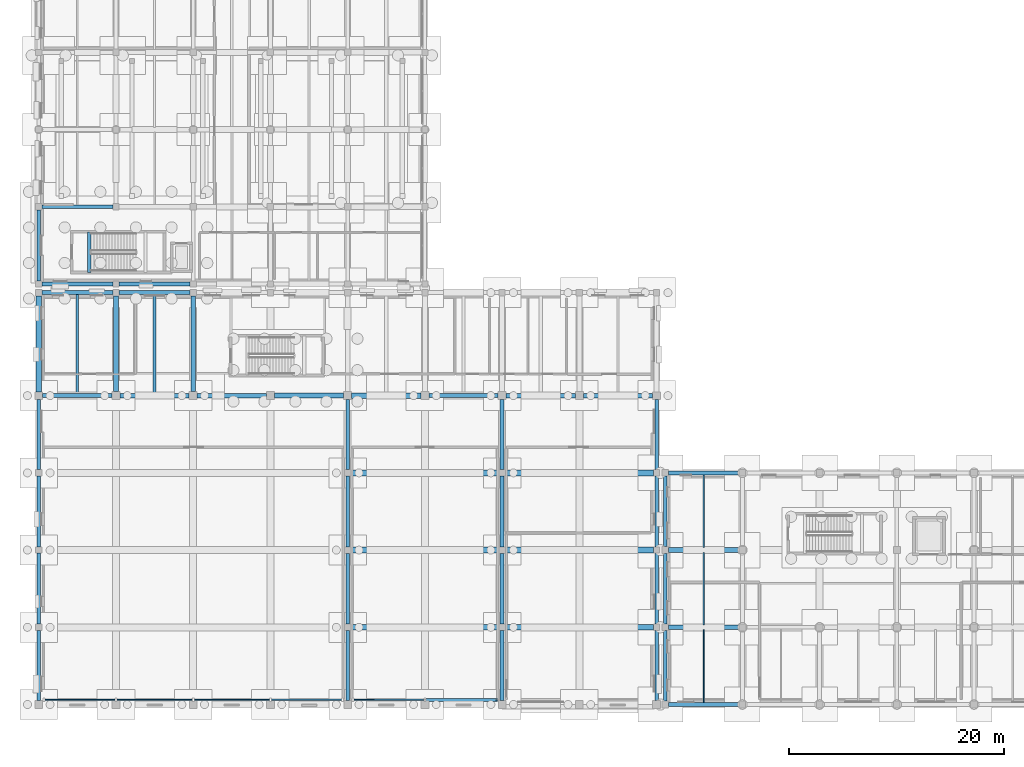
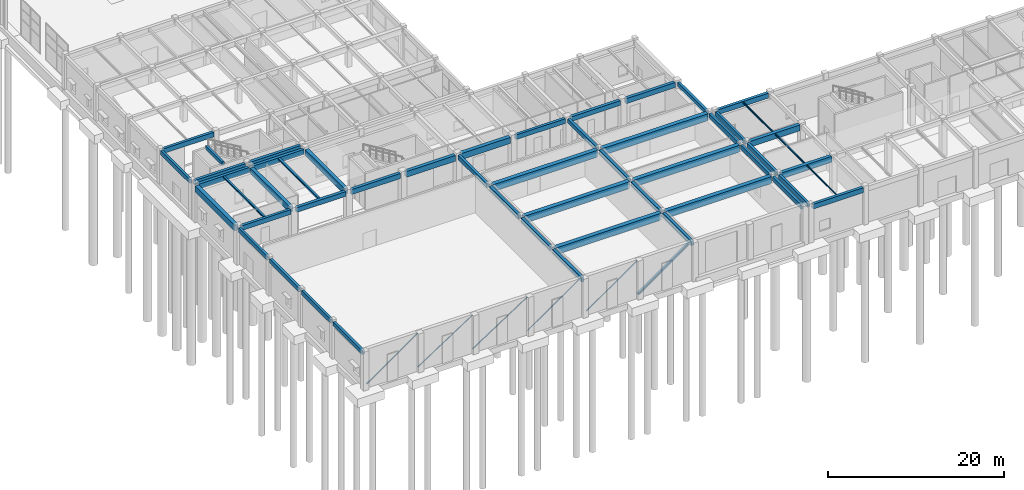
# One storey, part 15 of 91: 52 beams, 6 members.
"""IFC4 building model written with IfcOpenShell, lengths in metres."""

from ifc_helpers import new_model, si_unit, direction, frame, origin, origin_2d, place, context, subcontext, project, spatial, rectangle, hollow_rectangle, hollow_circle, i_section, extrude, material, material_profile, profile_set, type_object, element, save


model = new_model("IFC4")

# Units and contexts
model_context = context("Model", 3, precision=1e-05, world=origin(), true_north=direction((0.0, 1.0)))
body_context = subcontext(model_context, "Body", "Model", "MODEL_VIEW")
ifc_project = project(units=[si_unit("LENGTHUNIT", "METRE"), si_unit("AREAUNIT", "SQUARE_METRE"), si_unit("VOLUMEUNIT", "CUBIC_METRE"), si_unit("PLANEANGLEUNIT", "RADIAN"), si_unit("MASSUNIT", "GRAM", prefix="KILO")], contexts=[model_context])

# Site, building, storey
site_placement = place(None, origin())
site = spatial("IfcSite", under=ifc_project, at=site_placement, CompositionType="ELEMENT")
building_placement = place(site_placement, origin())
building = spatial("IfcBuilding", under=site, at=building_placement, Name="Bramveld Media Centre", CompositionType="ELEMENT")
storey_placement = place(building_placement, origin())
storey = spatial("IfcBuildingStorey", under=building, at=storey_placement, Name="L00", CompositionType="ELEMENT", Elevation=0.0)

# Beams
ifc_material_1 = material(Name="Concrete C40/50", Category="concrete")
ifc_material_profile_1 = material_profile(ifc_material_1, rectangle(XDim=0.300048828125, YDim=0.5, at=origin_2d()), Name="RC 300x500")
ifc_profile_set_1 = profile_set([ifc_material_profile_1], Name="Concrete C40/50")
beam_type_1 = type_object("IfcBeamType", Name="BM-INT-RC-300x500", PredefinedType="BEAM", material=ifc_profile_set_1)
beam_1_placement = place(storey_placement, frame((4.699951171875, 40.300048828125, 5.14990234375), z_axis=(0.0, 1.0, 0.0), x_axis=(-1.0, 0.0, 0.0)))
element("IfcBeam", 1, at=beam_1_placement, inside=storey, type_object=beam_type_1, Name="ST-04 L01 stairwell landing trimmer beam", PredefinedType="BEAM", context=body_context, shape_type="SweptSolid", body=[
    extrude(rectangle(XDim=0.300048828125, YDim=0.5, at=origin_2d()), origin(), (0.0, 0.0, 1.0), 3.75),
])
ifc_material_2 = material(Name="Concrete C40/50", Category="concrete")
ifc_material_profile_2 = material_profile(ifc_material_2, rectangle(XDim=0.35009765625, YDim=0.60009765625, at=origin_2d()), Name="RC 350x600")
ifc_profile_set_2 = profile_set([ifc_material_profile_2], Name="Concrete C40/50")
beam_type_2 = type_object("IfcBeamType", Name="BM-INT-RC-350x600", PredefinedType="BEAM", material=ifc_profile_set_2)
beam_2_placement = place(storey_placement, frame((28.800048828125, 0.360107421875, 4.85009765625), z_axis=(0.0, 1.0, 0.0), x_axis=(-1.0, 0.0, 0.0)))
element("IfcBeam", 2, at=beam_2_placement, inside=storey, type_object=beam_type_2, Name="V2 L00 girder Y-116", PredefinedType="BEAM", context=body_context, shape_type="SweptSolid", body=[
    extrude(rectangle(XDim=0.35009765625, YDim=0.60009765625, at=origin_2d()), origin(), (0.0, 0.0, 1.0), 6.539794921875),
])
for number, where, z_axis, x_axis, name in (
    (3, (28.800048828125, 7.5, 4.85009765625), (0.0, 1.0, 0.0), (-1.0, 0.0, 0.0), "V2 L00 girder Y-117"),
    (4, (28.800048828125, 14.699951171875, 4.85009765625), (0.0, 1.0, 0.0), (-1.0, 0.0, 0.0), "V2 L00 girder Y-118"),
):
    element("IfcBeam", number, at=place(storey_placement, frame(where, z_axis=z_axis, x_axis=x_axis)), inside=storey, type_object=beam_type_2, Name=name, PredefinedType="BEAM", context=body_context, shape_type="SweptSolid", body=[
        extrude(rectangle(XDim=0.35009765625, YDim=0.60009765625, at=origin_2d()), origin(), (0.0, 0.0, 1.0), 6.60009765625),
    ])
beam_3_placement = place(storey_placement, frame((28.800048828125, 21.89990234375, 4.85009765625), z_axis=(0.0, 1.0, 0.0), x_axis=(-1.0, 0.0, 0.0)))
element("IfcBeam", 5, at=beam_3_placement, inside=storey, type_object=beam_type_2, Name="V2 L00 girder Y-119", PredefinedType="BEAM", context=body_context, shape_type="SweptSolid", body=[
    extrude(rectangle(XDim=0.35009765625, YDim=0.60009765625, at=origin_2d()), origin(), (0.0, 0.0, 1.0), 6.525146484375),
])
beam_4_placement = place(storey_placement, frame((43.199951171875, 0.360107421875, 4.85009765625), z_axis=(0.0, 1.0, 0.0), x_axis=(-1.0, 0.0, 0.0)))
element("IfcBeam", 6, at=beam_4_placement, inside=storey, type_object=beam_type_2, Name="V2 L00 girder Y-122", PredefinedType="BEAM", context=body_context, shape_type="SweptSolid", body=[
    extrude(rectangle(XDim=0.35009765625, YDim=0.60009765625, at=origin_2d()), origin(), (0.0, 0.0, 1.0), 6.539794921875),
])
for number, where, z_axis, x_axis, name in (
    (7, (43.199951171875, 7.5, 4.85009765625), (0.0, 1.0, 0.0), (-1.0, 0.0, 0.0), "V2 L00 girder Y-123"),
    (8, (43.199951171875, 14.699951171875, 4.85009765625), (0.0, 1.0, 0.0), (-1.0, 0.0, 0.0), "V2 L00 girder Y-124"),
):
    element("IfcBeam", number, at=place(storey_placement, frame(where, z_axis=z_axis, x_axis=x_axis)), inside=storey, type_object=beam_type_2, Name=name, PredefinedType="BEAM", context=body_context, shape_type="SweptSolid", body=[
        extrude(rectangle(XDim=0.35009765625, YDim=0.60009765625, at=origin_2d()), origin(), (0.0, 0.0, 1.0), 6.60009765625),
    ])
beam_5_placement = place(storey_placement, frame((43.199951171875, 21.89990234375, 4.85009765625), z_axis=(0.0, 1.0, 0.0), x_axis=(-1.0, 0.0, 0.0)))
element("IfcBeam", 9, at=beam_5_placement, inside=storey, type_object=beam_type_2, Name="V2 L00 girder Y-125", PredefinedType="BEAM", context=body_context, shape_type="SweptSolid", body=[
    extrude(rectangle(XDim=0.35009765625, YDim=0.60009765625, at=origin_2d()), origin(), (0.0, 0.0, 1.0), 6.525146484375),
])
ifc_material_3 = material(Name="Concrete C40/50", Category="concrete")
ifc_material_profile_3 = material_profile(ifc_material_3, rectangle(XDim=0.35009765625, YDim=0.64990234375, at=origin_2d()), Name="RC 350x650")
ifc_profile_set_3 = profile_set([ifc_material_profile_3], Name="Concrete C40/50")
beam_type_3 = type_object("IfcBeamType", Name="BM-INT-RC-350x650", PredefinedType="BEAM", material=ifc_profile_set_3)
beam_6_placement = place(storey_placement, frame((0.360107421875, 28.800048828125, 4.77490234375), z_axis=(1.0, 0.0, 0.0), x_axis=(0.0, 1.0, 0.0)))
element("IfcBeam", 10, at=beam_6_placement, inside=storey, type_object=beam_type_3, Name="V2 L00 girder X-93", PredefinedType="BEAM", context=body_context, shape_type="SweptSolid", body=[
    extrude(rectangle(XDim=0.35009765625, YDim=0.64990234375, at=origin_2d()), origin(), (0.0, 0.0, 1.0), 6.46484375),
])
beam_7_placement = place(storey_placement, frame((36.375, 28.800048828125, 4.77490234375), z_axis=(1.0, 0.0, 0.0), x_axis=(0.0, 1.0, 0.0)))
element("IfcBeam", 11, at=beam_7_placement, inside=storey, type_object=beam_type_3, Name="V2 L00 girder X-98", PredefinedType="BEAM", context=body_context, shape_type="SweptSolid", body=[
    extrude(rectangle(XDim=0.35009765625, YDim=0.64990234375, at=origin_2d()), origin(), (0.0, 0.0, 1.0), 6.449951171875),
])
beam_8_placement = place(storey_placement, frame((0.2900390625, 46.39990234375, 4.81494140625), z_axis=(1.0, 0.0, 0.0), x_axis=(0.0, 1.0, 0.0)))
element("IfcBeam", 12, at=beam_8_placement, inside=storey, type_object=beam_type_3, Name="V3 L00 girder X-196", PredefinedType="BEAM", context=body_context, shape_type="SweptSolid", body=[
    extrude(rectangle(XDim=0.35009765625, YDim=0.64990234375, at=origin_2d()), origin(), (0.0, 0.0, 1.0), 6.60986328125),
])
ifc_material_4 = material(Name="Concrete C40/50", Category="concrete")
ifc_material_profile_4 = material_profile(ifc_material_4, rectangle(XDim=0.39990234375, YDim=0.64990234375, at=origin_2d()), Name="RC 400x650")
ifc_profile_set_4 = profile_set([ifc_material_profile_4], Name="Concrete C40/50")
beam_type_4 = type_object("IfcBeamType", Name="BM-INT-RC-400x650", PredefinedType="BEAM", material=ifc_profile_set_4)
for number, where, z_axis, x_axis, name in (
    (13, (7.574951171875, 28.800048828125, 4.77490234375), (1.0, 0.0, 0.0), (0.0, 1.0, 0.0), "V2 L00 girder X-94"),
    (14, (43.574951171875, 28.800048828125, 4.77490234375), (1.0, 0.0, 0.0), (0.0, 1.0, 0.0), "V2 L00 girder X-99"),
):
    element("IfcBeam", number, at=place(storey_placement, frame(where, z_axis=z_axis, x_axis=x_axis)), inside=storey, type_object=beam_type_4, Name=name, PredefinedType="BEAM", context=body_context, shape_type="SweptSolid", body=[
        extrude(rectangle(XDim=0.39990234375, YDim=0.64990234375, at=origin_2d()), origin(), (0.0, 0.0, 1.0), 6.449951171875),
    ])
ifc_material_5 = material(Name="Concrete C40/50", Category="concrete")
ifc_material_profile_5 = material_profile(ifc_material_5, rectangle(XDim=0.39990234375, YDim=0.699951171875, at=origin_2d()), Name="RC 400x700")
ifc_profile_set_5 = profile_set([ifc_material_profile_5], Name="Concrete C40/50")
beam_type_5 = type_object("IfcBeamType", Name="BM-INT-RC-400x700", PredefinedType="BEAM", material=ifc_profile_set_5)
beam_9_placement = place(storey_placement, frame((14.77490234375, 28.800048828125, 4.75), z_axis=(1.0, 0.0, 0.0), x_axis=(0.0, 1.0, 0.0)))
element("IfcBeam", 15, at=beam_9_placement, inside=storey, type_object=beam_type_5, Name="V2 L00 girder X-95", PredefinedType="BEAM", context=body_context, shape_type="SweptSolid", body=[
    extrude(rectangle(XDim=0.39990234375, YDim=0.699951171875, at=origin_2d()), origin(), (0.0, 0.0, 1.0), 6.4501953125),
])
beam_10_placement = place(storey_placement, frame((50.77490234375, 28.800048828125, 4.75), z_axis=(1.0, 0.0, 0.0), x_axis=(0.0, 1.0, 0.0)))
element("IfcBeam", 16, at=beam_10_placement, inside=storey, type_object=beam_type_5, Name="V2 L00 girder X-100", PredefinedType="BEAM", context=body_context, shape_type="SweptSolid", body=[
    extrude(rectangle(XDim=0.39990234375, YDim=0.699951171875, at=origin_2d()), origin(), (0.0, 0.0, 1.0), 6.465087890625),
])
ifc_material_6 = material(Name="Concrete C40/50", Category="concrete")
ifc_material_profile_6 = material_profile(ifc_material_6, rectangle(XDim=0.449951171875, YDim=0.800048828125, at=origin_2d()), Name="RC 450x800")
ifc_profile_set_6 = profile_set([ifc_material_profile_6], Name="Concrete C40/50")
beam_type_6 = type_object("IfcBeamType", Name="BM-INT-RC-450x800", PredefinedType="BEAM", material=ifc_profile_set_6)
beam_11_placement = place(storey_placement, frame((21.97509765625, 28.800048828125, 4.699951171875), z_axis=(1.0, 0.0, 0.0), x_axis=(0.0, 1.0, 0.0)))
element("IfcBeam", 17, at=beam_11_placement, inside=storey, type_object=beam_type_6, Name="V2 L00 girder X-96", PredefinedType="BEAM", context=body_context, shape_type="SweptSolid", body=[
    extrude(rectangle(XDim=0.449951171875, YDim=0.800048828125, at=origin_2d()), origin(), (0.0, 0.0, 1.0), 6.449951171875),
])
for number, where, z_axis, x_axis, name in (
    (18, (7.199951171875, 29.175048828125, 4.699951171875), (0.0, 1.0, 0.0), (-1.0, 0.0, 0.0), "V2 L00 girder Y-114"),
    (19, (14.39990234375, 29.175048828125, 4.699951171875), (0.0, 1.0, 0.0), (-1.0, 0.0, 0.0), "V2 L00 girder Y-115"),
):
    element("IfcBeam", number, at=place(storey_placement, frame(where, z_axis=z_axis, x_axis=x_axis)), inside=storey, type_object=beam_type_6, Name=name, PredefinedType="BEAM", context=body_context, shape_type="SweptSolid", body=[
        extrude(rectangle(XDim=0.449951171875, YDim=0.800048828125, at=origin_2d()), origin(), (0.0, 0.0, 1.0), 8.93505859375),
    ])
for number, where, z_axis, x_axis, name in (
    (20, (58.7099609375, 7.199951171875, 4.75), (1.0, 0.0, 0.0), (0.0, 1.0, 0.0), "V5 L00 girder X-661"),
    (21, (58.7099609375, 14.39990234375, 4.75), (1.0, 0.0, 0.0), (0.0, 1.0, 0.0), "V5 L00 girder X-668"),
):
    element("IfcBeam", number, at=place(storey_placement, frame(where, z_axis=z_axis, x_axis=x_axis)), inside=storey, type_object=beam_type_6, Name=name, PredefinedType="BEAM", context=body_context, shape_type="SweptSolid", body=[
        extrude(rectangle(XDim=0.449951171875, YDim=0.800048828125, at=origin_2d()), origin(), (0.0, 0.0, 1.0), 6.56494140625),
    ])
ifc_material_7 = material(Name="Concrete C40/50", Category="concrete")
ifc_material_profile_7 = material_profile(ifc_material_7, rectangle(XDim=0.5, YDim=0.85009765625, at=origin_2d()), Name="RC 500x850")
ifc_profile_set_7 = profile_set([ifc_material_profile_7], Name="Concrete C40/50")
beam_type_7 = type_object("IfcBeamType", Name="BM-INT-RC-500x850", PredefinedType="BEAM", material=ifc_profile_set_7)
beam_12_placement = place(storey_placement, frame((29.175048828125, 28.800048828125, 4.675048828125), z_axis=(1.0, 0.0, 0.0), x_axis=(0.0, 1.0, 0.0)))
element("IfcBeam", 22, at=beam_12_placement, inside=storey, type_object=beam_type_7, Name="V2 L00 girder X-97", PredefinedType="BEAM", context=body_context, shape_type="SweptSolid", body=[
    extrude(rectangle(XDim=0.5, YDim=0.85009765625, at=origin_2d()), origin(), (0.0, 0.0, 1.0), 6.449951171875),
])
ifc_material_8 = material(Name="Concrete C40/50", Category="concrete")
ifc_material_profile_8 = material_profile(ifc_material_8, rectangle(XDim=0.550048828125, YDim=0.949951171875, at=origin_2d()), Name="RC 550x950")
ifc_profile_set_8 = profile_set([ifc_material_profile_8], Name="Concrete C40/50")
beam_type_8 = type_object("IfcBeamType", Name="BM-INT-RC-550x950", PredefinedType="BEAM", material=ifc_profile_set_8)
beam_13_placement = place(storey_placement, frame((29.10009765625, 7.199951171875, 4.675048828125), z_axis=(1.0, 0.0, 0.0), x_axis=(0.0, 1.0, 0.0)))
element("IfcBeam", 23, at=beam_13_placement, inside=storey, type_object=beam_type_8, Name="V2 L00 girder X-87", PredefinedType="BEAM", context=body_context, shape_type="SweptSolid", body=[
    extrude(rectangle(XDim=0.550048828125, YDim=0.949951171875, at=origin_2d()), origin(), (0.0, 0.0, 1.0), 13.7998046875),
])
beam_14_placement = place(storey_placement, frame((43.5, 7.199951171875, 4.675048828125), z_axis=(1.0, 0.0, 0.0), x_axis=(0.0, 1.0, 0.0)))
element("IfcBeam", 24, at=beam_14_placement, inside=storey, type_object=beam_type_8, Name="V2 L00 girder X-88", PredefinedType="BEAM", context=body_context, shape_type="SweptSolid", body=[
    extrude(rectangle(XDim=0.550048828125, YDim=0.949951171875, at=origin_2d()), origin(), (0.0, 0.0, 1.0), 13.81005859375),
])
beam_15_placement = place(storey_placement, frame((29.10009765625, 14.39990234375, 4.675048828125), z_axis=(1.0, 0.0, 0.0), x_axis=(0.0, 1.0, 0.0)))
element("IfcBeam", 25, at=beam_15_placement, inside=storey, type_object=beam_type_8, Name="V2 L00 girder X-89", PredefinedType="BEAM", context=body_context, shape_type="SweptSolid", body=[
    extrude(rectangle(XDim=0.550048828125, YDim=0.949951171875, at=origin_2d()), origin(), (0.0, 0.0, 1.0), 13.7998046875),
])
beam_16_placement = place(storey_placement, frame((43.5, 14.39990234375, 4.675048828125), z_axis=(1.0, 0.0, 0.0), x_axis=(0.0, 1.0, 0.0)))
element("IfcBeam", 26, at=beam_16_placement, inside=storey, type_object=beam_type_8, Name="V2 L00 girder X-90", PredefinedType="BEAM", context=body_context, shape_type="SweptSolid", body=[
    extrude(rectangle(XDim=0.550048828125, YDim=0.949951171875, at=origin_2d()), origin(), (0.0, 0.0, 1.0), 13.81005859375),
])
beam_17_placement = place(storey_placement, frame((29.10009765625, 21.60009765625, 4.675048828125), z_axis=(1.0, 0.0, 0.0), x_axis=(0.0, 1.0, 0.0)))
element("IfcBeam", 27, at=beam_17_placement, inside=storey, type_object=beam_type_8, Name="V2 L00 girder X-91", PredefinedType="BEAM", context=body_context, shape_type="SweptSolid", body=[
    extrude(rectangle(XDim=0.550048828125, YDim=0.949951171875, at=origin_2d()), origin(), (0.0, 0.0, 1.0), 13.7998046875),
])
beam_18_placement = place(storey_placement, frame((43.5, 21.60009765625, 4.675048828125), z_axis=(1.0, 0.0, 0.0), x_axis=(0.0, 1.0, 0.0)))
element("IfcBeam", 28, at=beam_18_placement, inside=storey, type_object=beam_type_8, Name="V2 L00 girder X-92", PredefinedType="BEAM", context=body_context, shape_type="SweptSolid", body=[
    extrude(rectangle(XDim=0.550048828125, YDim=0.949951171875, at=origin_2d()), origin(), (0.0, 0.0, 1.0), 13.81005859375),
])

# Members
ifc_material_9 = material(Name="Steel S355J2H", Category="steel")
ifc_material_profile_9 = material_profile(ifc_material_9, hollow_circle(Radius=0.06982421875, WallThickness=0.008056640625, at=origin_2d()), Name="CHS 139.7x8")
ifc_profile_set_9 = profile_set([ifc_material_profile_9], Name="Steel S355J2H")
member_type_1 = type_object("IfcMemberType", Name="MEM-BRACE-CHS139", PredefinedType="BRACE", material=ifc_profile_set_9)
member_1_placement = place(storey_placement, frame((7.199951171875, 0.43994140625, 0.25), z_axis=(0.837380052936, 0.0, 0.546621118276), x_axis=(0.0, 1.0, 0.0)))
element("IfcMember", 29, at=member_1_placement, inside=storey, type_object=member_type_1, Name="Acoustic hall lateral brace BRC-V2-S2", PredefinedType="BRACE", context=body_context, shape_type="SweptSolid", body=[
    extrude(hollow_circle(Radius=0.06982421875, WallThickness=0.008056640625, at=origin_2d()), origin(), (0.0, 0.0, 1.0), 8.59814453125),
])
ifc_material_10 = material(Name="Steel S355J2H", Category="steel")
ifc_material_profile_10 = material_profile(ifc_material_10, hollow_circle(Radius=0.084228515625, WallThickness=0.010009765625, at=origin_2d()), Name="CHS 168.3x10")
ifc_profile_set_10 = profile_set([ifc_material_profile_10], Name="Steel S355J2H")
member_type_2 = type_object("IfcMemberType", Name="MEM-BRACE-CHS168", PredefinedType="BRACE", material=ifc_profile_set_10)
member_2_placement = place(storey_placement, frame((0.5, 0.43994140625, 0.25), z_axis=(0.818658311294, 0.0, 0.574280915014), x_axis=(0.0, 1.0, 0.0)))
element("IfcMember", 30, at=member_2_placement, inside=storey, type_object=member_type_2, Name="Acoustic hall lateral brace BRC-V2-S1", PredefinedType="BRACE", context=body_context, shape_type="SweptSolid", body=[
    extrude(hollow_circle(Radius=0.084228515625, WallThickness=0.010009765625, at=origin_2d()), origin(), (0.0, 0.0, 1.0), 8.18408203125),
])
ifc_material_11 = material(Name="Steel S355J2H", Category="steel")
ifc_material_profile_11 = material_profile(ifc_material_11, hollow_rectangle(XDim=0.10009765625, YDim=0.10009765625, WallThickness=0.00634765625, InnerFilletRadius=0.00634765625, OuterFilletRadius=0.0126953125, at=origin_2d()), Name="SHS 100x100x6.3")
ifc_profile_set_11 = profile_set([ifc_material_profile_11], Name="Steel S355J2H")
member_type_3 = type_object("IfcMemberType", Name="MEM-BRACE-SHS100", PredefinedType="BRACE", material=ifc_profile_set_11)
member_3_placement = place(storey_placement, frame((21.60009765625, 0.43994140625, 0.25), z_axis=(0.818658311294, 0.0, 0.574280915014), x_axis=(0.0, 1.0, 0.0)))
element("IfcMember", 31, at=member_3_placement, inside=storey, type_object=member_type_3, Name="Acoustic hall lateral brace BRC-V2-S4", PredefinedType="BRACE", context=body_context, shape_type="SweptSolid", body=[
    extrude(hollow_rectangle(XDim=0.10009765625, YDim=0.10009765625, WallThickness=0.00634765625, InnerFilletRadius=0.00634765625, OuterFilletRadius=0.0126953125, at=origin_2d()), origin(), (0.0, 0.0, 1.0), 8.18408203125),
])
ifc_material_12 = material(Name="Steel S355J2H", Category="steel")
ifc_material_profile_12 = material_profile(ifc_material_12, hollow_rectangle(XDim=0.1201171875, YDim=0.1201171875, WallThickness=0.008056640625, InnerFilletRadius=0.008056640625, OuterFilletRadius=0.01611328125, at=origin_2d()), Name="SHS 120x120x8")
ifc_profile_set_12 = profile_set([ifc_material_profile_12], Name="Steel S355J2H")
member_type_4 = type_object("IfcMemberType", Name="MEM-BRACE-SHS120", PredefinedType="BRACE", material=ifc_profile_set_12)
member_4_placement = place(storey_placement, frame((14.39990234375, 0.43994140625, 0.25), z_axis=(0.837388536736, 0.0, 0.546608121549), x_axis=(0.0, 1.0, 0.0)))
element("IfcMember", 32, at=member_4_placement, inside=storey, type_object=member_type_4, Name="Acoustic hall lateral brace BRC-V2-S3", PredefinedType="BRACE", context=body_context, shape_type="SweptSolid", body=[
    extrude(hollow_rectangle(XDim=0.1201171875, YDim=0.1201171875, WallThickness=0.008056640625, InnerFilletRadius=0.008056640625, OuterFilletRadius=0.01611328125, at=origin_2d()), origin(), (0.0, 0.0, 1.0), 8.598388671875),
])
ifc_material_13 = material(Name="Steel S355J2", Category="steel")
ifc_material_profile_13 = material_profile(ifc_material_13, i_section(OverallWidth=0.280029296875, OverallDepth=0.27001953125, WebThickness=0.008056640625, FlangeThickness=0.012939453125, FilletRadius=0.02392578125, at=origin_2d()), Name="HEA 280")
ifc_profile_set_13 = profile_set([ifc_material_profile_13], Name="Steel S355J2")
member_type_5 = type_object("IfcMemberType", Name="MEM-CHORD-HEA280", PredefinedType="CHORD", material=ifc_profile_set_13)
member_5_placement = place(storey_placement, frame((36.0, 0.43994140625, 0.25), z_axis=(0.818658311294, 0.0, 0.574280915014), x_axis=(0.0, 1.0, 0.0)))
element("IfcMember", 33, at=member_5_placement, inside=storey, type_object=member_type_5, Name="Acoustic hall lateral brace BRC-V2-S6", PredefinedType="CHORD", context=body_context, shape_type="SweptSolid", body=[
    extrude(i_section(OverallWidth=0.280029296875, OverallDepth=0.27001953125, WebThickness=0.008056640625, FlangeThickness=0.012939453125, FilletRadius=0.02392578125, at=origin_2d()), origin(), (0.0, 0.0, 1.0), 8.18408203125),
])
ifc_material_14 = material(Name="Steel S355J2H", Category="steel")
ifc_material_profile_14 = material_profile(ifc_material_14, hollow_rectangle(XDim=0.080078125, YDim=0.159912109375, WallThickness=0.008056640625, InnerFilletRadius=0.008056640625, OuterFilletRadius=0.01611328125, at=origin_2d()), Name="RHS 160x80x8")
ifc_profile_set_14 = profile_set([ifc_material_profile_14], Name="Steel S355J2H")
member_type_6 = type_object("IfcMemberType", Name="MEM-RAFTER-RHS160", PredefinedType="RAFTER", material=ifc_profile_set_14)
member_6_placement = place(storey_placement, frame((29.300048828125, 0.43994140625, 0.25), z_axis=(0.818658311294, 0.0, 0.574280915014), x_axis=(0.0, 1.0, 0.0)))
element("IfcMember", 34, at=member_6_placement, inside=storey, type_object=member_type_6, Name="Acoustic hall lateral brace BRC-V2-S5", PredefinedType="RAFTER", context=body_context, shape_type="SweptSolid", body=[
    extrude(hollow_rectangle(XDim=0.080078125, YDim=0.159912109375, WallThickness=0.008056640625, InnerFilletRadius=0.008056640625, OuterFilletRadius=0.01611328125, at=origin_2d()), origin(), (0.0, 0.0, 1.0), 8.18408203125),
])

# Beams
ifc_material_15 = material(Name="Steel S355J2", Category="steel")
ifc_material_profile_15 = material_profile(ifc_material_15, i_section(OverallWidth=0.239990234375, OverallDepth=0.22998046875, WebThickness=0.007568359375, FlangeThickness=0.011962890625, FilletRadius=0.02099609375, at=origin_2d()), Name="HEA 240")
ifc_profile_set_15 = profile_set([ifc_material_profile_15], Name="Steel S355J2")
beam_type_9 = type_object("IfcBeamType", Name="SBM-INT-HEA-240", PredefinedType="BEAM", material=ifc_profile_set_15)
beam_19_placement = place(storey_placement, frame((3.60009765625, 28.97509765625, 4.985107421875), z_axis=(0.0, 1.0, 0.0), x_axis=(-1.0, 0.0, 0.0)))
element("IfcBeam", 35, at=beam_19_placement, inside=storey, type_object=beam_type_9, Name="V2 L00 secondary floor joist 133", PredefinedType="BEAM", context=body_context, shape_type="SweptSolid", body=[
    extrude(i_section(OverallWidth=0.239990234375, OverallDepth=0.22998046875, WebThickness=0.007568359375, FlangeThickness=0.011962890625, FilletRadius=0.02099609375, at=origin_2d()), origin(), (0.0, 0.0, 1.0), 9.23486328125),
])
ifc_material_16 = material(Name="Steel S355J2", Category="steel")
ifc_material_profile_16 = material_profile(ifc_material_16, i_section(OverallWidth=0.260009765625, OverallDepth=0.25, WebThickness=0.007568359375, FlangeThickness=0.012451171875, FilletRadius=0.02392578125, at=origin_2d()), Name="HEA 260")
ifc_profile_set_16 = profile_set([ifc_material_profile_16], Name="Steel S355J2")
beam_type_10 = type_object("IfcBeamType", Name="SBM-INT-HEA-260", PredefinedType="BEAM", material=ifc_profile_set_16)
beam_20_placement = place(storey_placement, frame((10.800048828125, 29.0, 4.97509765625), z_axis=(0.0, 1.0, 0.0), x_axis=(-1.0, 0.0, 0.0)))
element("IfcBeam", 36, at=beam_20_placement, inside=storey, type_object=beam_type_10, Name="V2 L00 secondary floor joist 134", PredefinedType="BEAM", context=body_context, shape_type="SweptSolid", body=[
    extrude(i_section(OverallWidth=0.260009765625, OverallDepth=0.25, WebThickness=0.007568359375, FlangeThickness=0.012451171875, FilletRadius=0.02392578125, at=origin_2d()), origin(), (0.0, 0.0, 1.0), 9.2099609375),
])
ifc_material_17 = material(Name="Steel S355J2", Category="steel")
ifc_material_profile_17 = material_profile(ifc_material_17, i_section(OverallWidth=0.091064453125, OverallDepth=0.179931640625, WebThickness=0.00537109375, FlangeThickness=0.008056640625, FilletRadius=0.009033203125, at=origin_2d()), Name="IPE 180")
ifc_profile_set_17 = profile_set([ifc_material_profile_17], Name="Steel S355J2")
beam_type_11 = type_object("IfcBeamType", Name="SBM-INT-IPE-180", PredefinedType="JOIST", material=ifc_profile_set_17)
beam_21_placement = place(storey_placement, frame((62.0, 0.18994140625, 5.06005859375), z_axis=(0.0, 1.0, 0.0), x_axis=(-1.0, 0.0, 0.0)))
element("IfcBeam", 37, at=beam_21_placement, inside=storey, type_object=beam_type_11, Name="V5 L00 secondary floor joist 701", PredefinedType="JOIST", context=body_context, shape_type="SweptSolid", body=[
    extrude(i_section(OverallWidth=0.091064453125, OverallDepth=0.179931640625, WebThickness=0.00537109375, FlangeThickness=0.008056640625, FilletRadius=0.009033203125, at=origin_2d()), origin(), (0.0, 0.0, 1.0), 6.78515625),
])
ifc_material_18 = material(Name="Steel S355J2", Category="steel")
ifc_material_profile_18 = material_profile(ifc_material_18, i_section(OverallWidth=0.110107421875, OverallDepth=0.219970703125, WebThickness=0.005859375, FlangeThickness=0.00927734375, FilletRadius=0.011962890625, at=origin_2d()), Name="IPE 220")
ifc_profile_set_18 = profile_set([ifc_material_profile_18], Name="Steel S355J2")
beam_type_12 = type_object("IfcBeamType", Name="SBM-INT-IPE-220", PredefinedType="JOIST", material=ifc_profile_set_18)
beam_22_placement = place(storey_placement, frame((62.0, 7.425048828125, 5.0400390625), z_axis=(0.0, 1.0, 0.0), x_axis=(-1.0, 0.0, 0.0)))
element("IfcBeam", 38, at=beam_22_placement, inside=storey, type_object=beam_type_12, Name="V5 L00 secondary floor joist 702", PredefinedType="JOIST", context=body_context, shape_type="SweptSolid", body=[
    extrude(i_section(OverallWidth=0.110107421875, OverallDepth=0.219970703125, WebThickness=0.005859375, FlangeThickness=0.00927734375, FilletRadius=0.011962890625, at=origin_2d()), origin(), (0.0, 0.0, 1.0), 6.75),
])
ifc_material_19 = material(Name="Steel S355J2", Category="steel")
ifc_material_profile_19 = material_profile(ifc_material_19, i_section(OverallWidth=0.1201171875, OverallDepth=0.239990234375, WebThickness=0.006103515625, FlangeThickness=0.009765625, FilletRadius=0.014892578125, at=origin_2d()), Name="IPE 240")
ifc_profile_set_19 = profile_set([ifc_material_profile_19], Name="Steel S355J2")
beam_type_13 = type_object("IfcBeamType", Name="SBM-INT-IPE-240", PredefinedType="JOIST", material=ifc_profile_set_19)
beam_23_placement = place(storey_placement, frame((62.0, 14.625, 5.030029296875), z_axis=(0.0, 1.0, 0.0), x_axis=(-1.0, 0.0, 0.0)))
element("IfcBeam", 39, at=beam_23_placement, inside=storey, type_object=beam_type_13, Name="V5 L00 secondary floor joist 703", PredefinedType="JOIST", context=body_context, shape_type="SweptSolid", body=[
    extrude(i_section(OverallWidth=0.1201171875, OverallDepth=0.239990234375, WebThickness=0.006103515625, FlangeThickness=0.009765625, FilletRadius=0.014892578125, at=origin_2d()), origin(), (0.0, 0.0, 1.0), 6.784912109375),
])
ifc_material_20 = material(Name="Concrete C40/50", Category="concrete")
ifc_material_profile_20 = material_profile(ifc_material_20, rectangle(XDim=0.320068359375, YDim=0.580078125, at=origin_2d()), Name="RC 320x580")
ifc_profile_set_20 = profile_set([ifc_material_profile_20], Name="Concrete C40/50")
beam_type_14 = type_object("IfcBeamType", Name="SPANDREL-EXT-RC-320x580", PredefinedType="SPANDREL", material=ifc_profile_set_20)
beam_24_placement = place(storey_placement, frame((0.0, 0.360107421875, 4.860107421875), z_axis=(0.0, 1.0, 0.0), x_axis=(-1.0, 0.0, 0.0)))
element("IfcBeam", 40, at=beam_24_placement, inside=storey, type_object=beam_type_14, Name="V2 L00 girder Y-109", PredefinedType="SPANDREL", context=body_context, shape_type="SweptSolid", body=[
    extrude(rectangle(XDim=0.320068359375, YDim=0.580078125, at=origin_2d()), origin(), (0.0, 0.0, 1.0), 6.5498046875),
])
for number, where, z_axis, x_axis, name in (
    (41, (0.0, 7.489990234375, 4.860107421875), (0.0, 1.0, 0.0), (-1.0, 0.0, 0.0), "V2 L00 girder Y-110"),
    (42, (0.0, 14.68994140625, 4.860107421875), (0.0, 1.0, 0.0), (-1.0, 0.0, 0.0), "V2 L00 girder Y-111"),
):
    element("IfcBeam", number, at=place(storey_placement, frame(where, z_axis=z_axis, x_axis=x_axis)), inside=storey, type_object=beam_type_14, Name=name, PredefinedType="SPANDREL", context=body_context, shape_type="SweptSolid", body=[
        extrude(rectangle(XDim=0.320068359375, YDim=0.580078125, at=origin_2d()), origin(), (0.0, 0.0, 1.0), 6.6201171875),
    ])
beam_25_placement = place(storey_placement, frame((0.0, 21.889892578125, 4.860107421875), z_axis=(0.0, 1.0, 0.0), x_axis=(-1.0, 0.0, 0.0)))
element("IfcBeam", 43, at=beam_25_placement, inside=storey, type_object=beam_type_14, Name="V2 L00 girder Y-112", PredefinedType="SPANDREL", context=body_context, shape_type="SweptSolid", body=[
    extrude(rectangle(XDim=0.320068359375, YDim=0.580078125, at=origin_2d()), origin(), (0.0, 0.0, 1.0), 6.550048828125),
])
beam_26_placement = place(storey_placement, frame((57.60009765625, 0.360107421875, 4.860107421875), z_axis=(0.0, 1.0, 0.0), x_axis=(-1.0, 0.0, 0.0)))
element("IfcBeam", 44, at=beam_26_placement, inside=storey, type_object=beam_type_14, Name="V2 L00 girder Y-128", PredefinedType="SPANDREL", context=body_context, shape_type="SweptSolid", body=[
    extrude(rectangle(XDim=0.320068359375, YDim=0.580078125, at=origin_2d()), origin(), (0.0, 0.0, 1.0), 6.5498046875),
])
for number, where, z_axis, x_axis, name in (
    (45, (57.60009765625, 7.489990234375, 4.860107421875), (0.0, 1.0, 0.0), (-1.0, 0.0, 0.0), "V2 L00 girder Y-129"),
    (46, (57.60009765625, 14.68994140625, 4.860107421875), (0.0, 1.0, 0.0), (-1.0, 0.0, 0.0), "V2 L00 girder Y-130"),
):
    element("IfcBeam", number, at=place(storey_placement, frame(where, z_axis=z_axis, x_axis=x_axis)), inside=storey, type_object=beam_type_14, Name=name, PredefinedType="SPANDREL", context=body_context, shape_type="SweptSolid", body=[
        extrude(rectangle(XDim=0.320068359375, YDim=0.580078125, at=origin_2d()), origin(), (0.0, 0.0, 1.0), 6.6201171875),
    ])
beam_27_placement = place(storey_placement, frame((57.60009765625, 21.889892578125, 4.860107421875), z_axis=(0.0, 1.0, 0.0), x_axis=(-1.0, 0.0, 0.0)))
element("IfcBeam", 47, at=beam_27_placement, inside=storey, type_object=beam_type_14, Name="V2 L00 girder Y-131", PredefinedType="SPANDREL", context=body_context, shape_type="SweptSolid", body=[
    extrude(rectangle(XDim=0.320068359375, YDim=0.580078125, at=origin_2d()), origin(), (0.0, 0.0, 1.0), 6.550048828125),
])
beam_28_placement = place(storey_placement, frame((0.0, 39.489990234375, 4.85009765625), z_axis=(0.0, 1.0, 0.0), x_axis=(-1.0, 0.0, 0.0)))
element("IfcBeam", 48, at=beam_28_placement, inside=storey, type_object=beam_type_14, Name="V3 L00 girder Y-216", PredefinedType="SPANDREL", context=body_context, shape_type="SweptSolid", body=[
    extrude(rectangle(XDim=0.320068359375, YDim=0.580078125, at=origin_2d()), origin(), (0.0, 0.0, 1.0), 6.6201171875),
])
beam_29_placement = place(storey_placement, frame((58.39990234375, 0.31005859375, 4.860107421875), z_axis=(0.0, 1.0, 0.0), x_axis=(-1.0, 0.0, 0.0)))
element("IfcBeam", 49, at=beam_29_placement, inside=storey, type_object=beam_type_14, Name="V5 L00 girder Y-679", PredefinedType="SPANDREL", context=body_context, shape_type="SweptSolid", body=[
    extrude(rectangle(XDim=0.320068359375, YDim=0.580078125, at=origin_2d()), origin(), (0.0, 0.0, 1.0), 6.579833984375),
])
for number, where, z_axis, x_axis, name in (
    (50, (58.39990234375, 7.510009765625, 4.860107421875), (0.0, 1.0, 0.0), (-1.0, 0.0, 0.0), "V5 L00 girder Y-680"),
    (51, (58.39990234375, 14.7099609375, 4.860107421875), (0.0, 1.0, 0.0), (-1.0, 0.0, 0.0), "V5 L00 girder Y-681"),
):
    element("IfcBeam", number, at=place(storey_placement, frame(where, z_axis=z_axis, x_axis=x_axis)), inside=storey, type_object=beam_type_14, Name=name, PredefinedType="SPANDREL", context=body_context, shape_type="SweptSolid", body=[
        extrude(rectangle(XDim=0.320068359375, YDim=0.580078125, at=origin_2d()), origin(), (0.0, 0.0, 1.0), 6.580078125),
    ])
ifc_material_21 = material(Name="Concrete C40/50", Category="concrete")
ifc_material_profile_21 = material_profile(ifc_material_21, rectangle(XDim=0.3798828125, YDim=0.679931640625, at=origin_2d()), Name="RC 380x680")
ifc_profile_set_21 = profile_set([ifc_material_profile_21], Name="Concrete C40/50")
beam_type_15 = type_object("IfcBeamType", Name="SPANDREL-EXT-RC-380x680", PredefinedType="SPANDREL", material=ifc_profile_set_21)
beam_30_placement = place(storey_placement, frame((0.2900390625, 38.39990234375, 4.760009765625), z_axis=(1.0, 0.0, 0.0), x_axis=(0.0, 1.0, 0.0)))
element("IfcBeam", 52, at=beam_30_placement, inside=storey, type_object=beam_type_15, Name="V2 L00 girder X-101", PredefinedType="SPANDREL", context=body_context, shape_type="SweptSolid", body=[
    extrude(rectangle(XDim=0.3798828125, YDim=0.679931640625, at=origin_2d()), origin(), (0.0, 0.0, 1.0), 6.619873046875),
])
beam_31_placement = place(storey_placement, frame((7.489990234375, 38.39990234375, 4.760009765625), z_axis=(1.0, 0.0, 0.0), x_axis=(0.0, 1.0, 0.0)))
element("IfcBeam", 53, at=beam_31_placement, inside=storey, type_object=beam_type_15, Name="V2 L00 girder X-102", PredefinedType="SPANDREL", context=body_context, shape_type="SweptSolid", body=[
    extrude(rectangle(XDim=0.3798828125, YDim=0.679931640625, at=origin_2d()), origin(), (0.0, 0.0, 1.0), 6.6201171875),
])
beam_32_placement = place(storey_placement, frame((0.2900390625, 39.199951171875, 4.800048828125), z_axis=(1.0, 0.0, 0.0), x_axis=(0.0, 1.0, 0.0)))
element("IfcBeam", 54, at=beam_32_placement, inside=storey, type_object=beam_type_15, Name="V3 L00 girder X-191", PredefinedType="SPANDREL", context=body_context, shape_type="SweptSolid", body=[
    extrude(rectangle(XDim=0.3798828125, YDim=0.679931640625, at=origin_2d()), origin(), (0.0, 0.0, 1.0), 6.619873046875),
])
beam_33_placement = place(storey_placement, frame((7.489990234375, 39.199951171875, 4.800048828125), z_axis=(1.0, 0.0, 0.0), x_axis=(0.0, 1.0, 0.0)))
element("IfcBeam", 55, at=beam_33_placement, inside=storey, type_object=beam_type_15, Name="V3 L00 girder X-192", PredefinedType="SPANDREL", context=body_context, shape_type="SweptSolid", body=[
    extrude(rectangle(XDim=0.3798828125, YDim=0.679931640625, at=origin_2d()), origin(), (0.0, 0.0, 1.0), 6.6201171875),
])
for number, where, z_axis, x_axis, name in (
    (56, (58.7099609375, 0.0, 4.81005859375), (1.0, 0.0, 0.0), (0.0, 1.0, 0.0), "V5 L00 girder X-654"),
    (57, (58.7099609375, 21.60009765625, 4.81005859375), (1.0, 0.0, 0.0), (0.0, 1.0, 0.0), "V5 L00 girder X-672"),
):
    element("IfcBeam", number, at=place(storey_placement, frame(where, z_axis=z_axis, x_axis=x_axis)), inside=storey, type_object=beam_type_15, Name=name, PredefinedType="SPANDREL", context=body_context, shape_type="SweptSolid", body=[
        extrude(rectangle(XDim=0.3798828125, YDim=0.679931640625, at=origin_2d()), origin(), (0.0, 0.0, 1.0), 6.580078125),
    ])
ifc_material_22 = material(Name="Concrete C40/50", Category="concrete")
ifc_material_profile_22 = material_profile(ifc_material_22, rectangle(XDim=0.47998046875, YDim=0.820068359375, at=origin_2d()), Name="RC 480x820")
ifc_profile_set_22 = profile_set([ifc_material_profile_22], Name="Concrete C40/50")
beam_type_16 = type_object("IfcBeamType", Name="SPANDREL-EXT-RC-480x820", PredefinedType="SPANDREL", material=ifc_profile_set_22)
beam_34_placement = place(storey_placement, frame((0.0, 29.159912109375, 4.68994140625), z_axis=(0.0, 1.0, 0.0), x_axis=(-1.0, 0.0, 0.0)))
element("IfcBeam", 58, at=beam_34_placement, inside=storey, type_object=beam_type_16, Name="V2 L00 girder Y-113", PredefinedType="SPANDREL", context=body_context, shape_type="SweptSolid", body=[
    extrude(rectangle(XDim=0.47998046875, YDim=0.820068359375, at=origin_2d()), origin(), (0.0, 0.0, 1.0), 8.9501953125),
])

save(model, "model.ifc")
